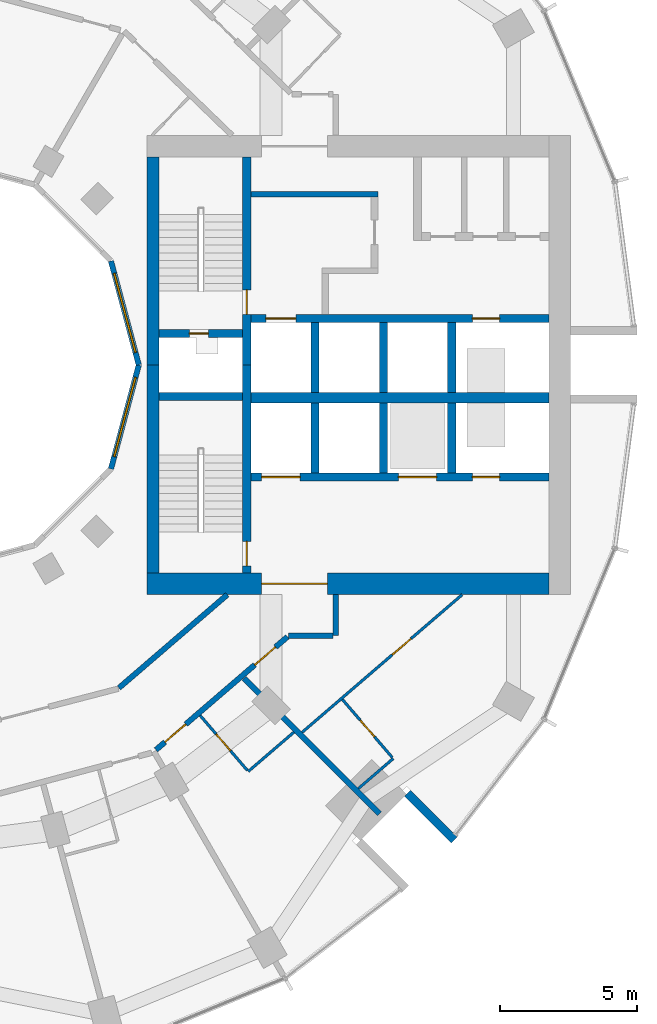
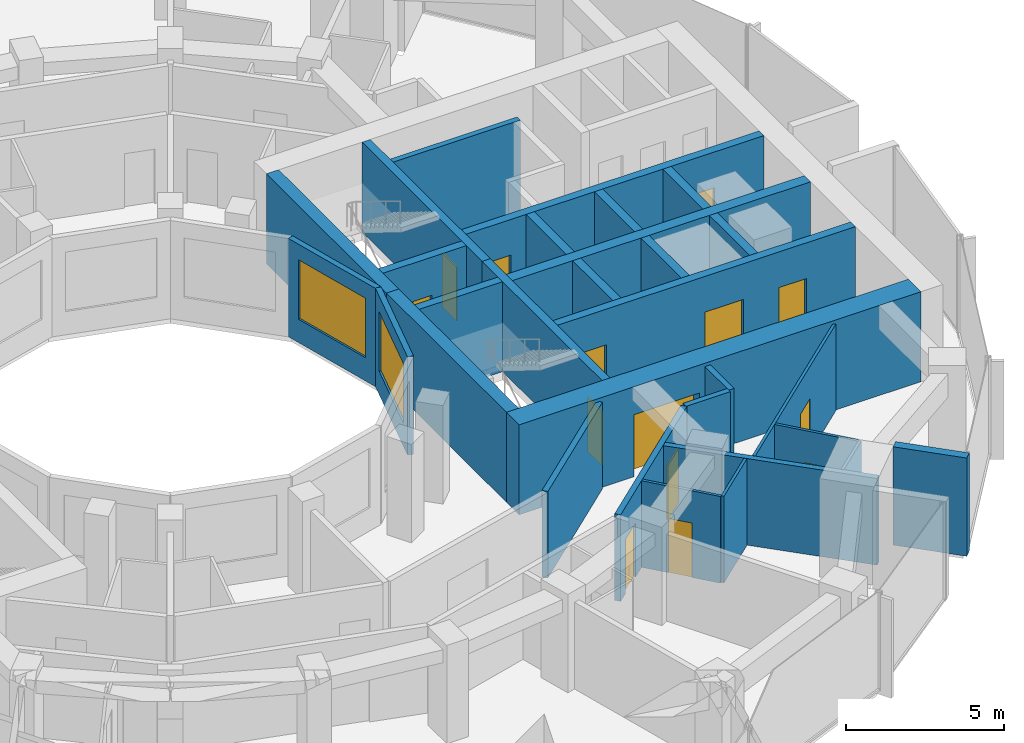
# One storey, part 10 of 15: 30 walls, 14 doors, 2 windows, 16 openings.
"""IFC4 building model written with IfcOpenShell, lengths in metres."""

import ifcopenshell
import ifcopenshell.guid

model = None  # the IFC model being written
_history = None  # IfcOwnerHistory: only IFC2X3 demands one
_inside = {}  # id of a spatial element -> (the spatial element, [elements in it])
_under = {}  # id of a project, library or spatial element -> (it, [spatial elements below it])
_declared = {}  # id of a project -> (the project, [libraries it declares])
_typed = {}  # id of a type object -> (the type object, [elements of that type])
_made_of = {}  # id of a material, layer set ... -> (it, [elements and type objects made of it])


def new_model(schema):
    """Start an empty IFC model of exactly this schema.

    Asked for "IFC4X3", IfcOpenShell would pick the latest addendum, in which some entities
    have other attributes; the version numbers below select the first issue.
    IFC2X3 requires an IfcOwnerHistory on every rooted entity: one is made here for all.
    """
    global model, _history
    if schema == "IFC4X3":
        model = ifcopenshell.file(schema_version=(4, 3, 0, 0))
    else:
        model = ifcopenshell.file(schema=schema)
    _inside.clear()
    _under.clear()
    _declared.clear()
    _typed.clear()
    _made_of.clear()
    _history = None
    if model.schema == "IFC2X3":
        org = make("IfcOrganization", Name="unknown")
        user = make(
            "IfcPersonAndOrganization",
            ThePerson=make("IfcPerson", FamilyName="unknown"),
            TheOrganization=org,
        )
        app = make(
            "IfcApplication",
            ApplicationDeveloper=org,
            Version="unknown",
            ApplicationFullName="unknown",
            ApplicationIdentifier="unknown",
        )
        _history = make(
            "IfcOwnerHistory",
            OwningUser=user,
            OwningApplication=app,
            ChangeAction="ADDED",
            CreationDate=0,
        )
    return model


def make(cls, **values):
    """One entity of the class cls with the attributes given. An attribute that is None is left unset."""
    return model.create_entity(
        cls, **{name: value for name, value in values.items() if value is not None}
    )


def rooted(cls, **values):
    """An entity with a GlobalId (a new one), such as an element, a storey or a relation."""
    return make(cls, GlobalId=ifcopenshell.guid.new(), OwnerHistory=_history, **values)


def si_unit(unit_type, name, prefix=None):
    """IfcSIUnit, for example si_unit("LENGTHUNIT", "METRE", prefix="MILLI")."""
    return make("IfcSIUnit", UnitType=unit_type, Prefix=prefix, Name=name)


def assignment(units):
    """IfcUnitAssignment: the units of a project."""
    return None if units is None else make("IfcUnitAssignment", Units=units)


def point(xyz):
    """IfcCartesianPoint."""
    return None if xyz is None else make("IfcCartesianPoint", Coordinates=xyz)


def direction(xyz):
    """IfcDirection."""
    return None if xyz is None else make("IfcDirection", DirectionRatios=xyz)


def frame(location, z_axis=None, x_axis=None):
    """IfcAxis2Placement3D, a coordinate frame: its origin and axes. An axis left out is left unset."""
    return make(
        "IfcAxis2Placement3D",
        Location=point(location),
        Axis=direction(z_axis),
        RefDirection=direction(x_axis),
    )


def frame_2d(location, x_axis=None):
    """IfcAxis2Placement2D, a coordinate frame in the plane: its origin and x axis."""
    return make(
        "IfcAxis2Placement2D", Location=point(location), RefDirection=direction(x_axis)
    )


def origin():
    """The frame at (0, 0, 0) with its axes left unset."""
    return frame((0.0, 0.0, 0.0))


def place(relative_to, where):
    """IfcLocalPlacement: puts the frame where relative to a parent placement (None: the world)."""
    return make(
        "IfcLocalPlacement", PlacementRelTo=relative_to, RelativePlacement=where
    )


def context(
    kind, dimensions, precision=None, world=None, true_north=None, identifier=None
):
    """IfcGeometricRepresentationContext, for example the 3D "Model" context."""
    return make(
        "IfcGeometricRepresentationContext",
        ContextIdentifier=identifier,
        ContextType=kind,
        CoordinateSpaceDimension=dimensions,
        Precision=precision,
        WorldCoordinateSystem=world,
        TrueNorth=true_north,
    )


def subcontext(parent, identifier, kind, view, scale=None):
    """IfcGeometricRepresentationSubContext, for example "Body" below "Model"."""
    return make(
        "IfcGeometricRepresentationSubContext",
        ContextIdentifier=identifier,
        ContextType=kind,
        ParentContext=parent,
        TargetScale=scale,
        TargetView=view,
    )


def project(units=None, contexts=None):
    """IfcProject with its units and contexts."""
    return rooted(
        "IfcProject",
        Name="project",
        RepresentationContexts=contexts,
        UnitsInContext=assignment(units),
    )


def spatial(cls, under=None, at=None, **own):
    """A site, building, storey or space (cls), placed at a placement, below another one or the project."""
    s = rooted(cls, ObjectPlacement=at, **own)
    if under is not None:
        _under.setdefault(under.id(), (under, []))[1].append(s)
    return s


def profile(cls, at=None, kind="AREA", **sizes):
    """A parametric profile (cls). Its sizes go by their IFC names, for example OverallWidth=200.0."""
    return make(cls, ProfileType=kind, Position=at, **sizes)


def rectangle(**sizes):
    """IfcRectangleProfileDef."""
    return profile("IfcRectangleProfileDef", **sizes)


def extrude(swept, where, along, depth):
    """IfcExtrudedAreaSolid: the profile swept, set in the frame where, extruded along a direction by depth."""
    return make(
        "IfcExtrudedAreaSolid",
        SweptArea=swept,
        Position=where,
        ExtrudedDirection=direction(along),
        Depth=depth,
    )


def shape(context_of_items, identifier, shape_type, items):
    """IfcShapeRepresentation: the items that make up one representation, for example the "Body"."""
    return make(
        "IfcShapeRepresentation",
        ContextOfItems=context_of_items,
        RepresentationIdentifier=identifier,
        RepresentationType=shape_type,
        Items=items,
    )


def material(Name=None, Category=None):
    """IfcMaterial."""
    return make("IfcMaterial", Name=Name, Category=Category)


def layer(
    of_material, thickness, ventilated=None, Name=None, Category=None, Priority=None
):
    """IfcMaterialLayer: one layer of a wall or slab, of a material (None: an air gap)."""
    return make(
        "IfcMaterialLayer",
        Material=of_material,
        LayerThickness=thickness,
        IsVentilated=ventilated,
        Name=Name,
        Category=Category,
        Priority=Priority,
    )


def layer_set(layers, Name=None):
    """IfcMaterialLayerSet."""
    return make("IfcMaterialLayerSet", MaterialLayers=layers, LayerSetName=Name)


def made_of(thing, what):
    """Note that an element or type object is made of a material, layer set ...; save() writes the relation."""
    if what is not None:
        _made_of.setdefault(what.id(), (what, []))[1].append(thing)
    return thing


def type_object(cls, material=None, **own):
    """A type object (cls), such as IfcWallType, which elements share."""
    return made_of(rooted(cls, **own), material)


def element(
    cls,
    number,
    at=None,
    inside=None,
    cuts=None,
    type_object=None,
    material=None,
    context=None,
    identifier="Body",
    shape_type=None,
    held_by="IfcProductDefinitionShape",
    body=None,
    shapes=None,
    **own,
):
    """One element of the class cls, such as IfcWall. Its Tag is "e" and its number.

    at: its placement. inside: the storey or other place that contains it. cuts: it is an
    opening in that element (IfcRelVoidsElement). A single representation is given by context,
    identifier, shape_type and body (its items); several are given by shapes. held_by: the class
    of the entity that holds the representations. save() writes the other relations.
    """
    e = rooted(cls, Tag="e%d" % number, ObjectPlacement=at, **own)
    if body is not None:
        shapes = [shape(context, identifier, shape_type, body)]
    if shapes is not None:
        e.Representation = make(held_by, Representations=shapes)
    if inside is not None:
        _inside.setdefault(inside.id(), (inside, []))[1].append(e)
    if cuts is not None:
        rooted(
            "IfcRelVoidsElement", RelatingBuildingElement=cuts, RelatedOpeningElement=e
        )
    if type_object is not None:
        _typed.setdefault(type_object.id(), (type_object, []))[1].append(e)
    return made_of(e, material)


def fill(opening, filler):
    """IfcRelFillsElement: the door or window that sits in an opening."""
    return rooted(
        "IfcRelFillsElement",
        RelatingOpeningElement=opening,
        RelatedBuildingElement=filler,
    )


def aggregate(whole, parts):
    """IfcRelAggregates: a whole, such as a stair, and the parts it consists of."""
    return rooted("IfcRelAggregates", RelatingObject=whole, RelatedObjects=parts)


def save(model, path):
    """Write the relations noted so far, then the file.

    IfcRelAggregates (storeys below a building ...), IfcRelContainedInSpatialStructure (elements
    in a storey), IfcRelDefinesByType, IfcRelAssociatesMaterial and IfcRelDeclares: one each for
    every whole, place, type object, material and project.
    """
    for whole, parts in _under.values():
        aggregate(whole, parts)
    for where, things in _inside.values():
        rooted(
            "IfcRelContainedInSpatialStructure",
            RelatedElements=things,
            RelatingStructure=where,
        )
    for kind, things in _typed.values():
        rooted("IfcRelDefinesByType", RelatedObjects=things, RelatingType=kind)
    for what, things in _made_of.values():
        rooted("IfcRelAssociatesMaterial", RelatedObjects=things, RelatingMaterial=what)
    for by, libraries in _declared.values():
        rooted("IfcRelDeclares", RelatingContext=by, RelatedDefinitions=libraries)
    model.write(path)


model = new_model("IFC4")

# Units and contexts
model_context = context("Model", 3, precision=1e-05, world=origin(), true_north=direction((0.0, 1.0)))
body_context = subcontext(model_context, "Body", "Model", "MODEL_VIEW")
ifc_project = project(units=[si_unit("LENGTHUNIT", "METRE"), si_unit("AREAUNIT", "SQUARE_METRE"), si_unit("VOLUMEUNIT", "CUBIC_METRE"), si_unit("PLANEANGLEUNIT", "RADIAN"), si_unit("MASSUNIT", "GRAM", prefix="KILO")], contexts=[model_context])

# Site, building, storey
site_placement = place(None, origin())
site = spatial("IfcSite", under=ifc_project, at=site_placement, CompositionType="ELEMENT")
building_placement = place(site_placement, origin())
building = spatial("IfcBuilding", under=site, at=building_placement, Name="Torre Brocal", CompositionType="ELEMENT")
storey_placement = place(building_placement, frame((0.0, 0.0, 93.800048828125)))
storey = spatial("IfcBuildingStorey", under=building, at=storey_placement, Name="L21", CompositionType="ELEMENT", Elevation=93.800048828125)

# Wall
ifc_material_1 = material(Name="Concrete C80", Category="concrete")
ifc_layer_1 = layer(ifc_material_1, 0.199951171875)
ifc_layer_set_1 = layer_set([ifc_layer_1], Name="Concrete C80")
wall_type_1 = type_object("IfcWallType", Name="CORE WALL 200 C80", PredefinedType="SHEAR", material=ifc_layer_set_1)
wall_1_placement = place(storey_placement, frame((91.699951171875, 81.25, 0.0), z_axis=(0.0, 0.0, 1.0), x_axis=(1.0, 0.0, 0.0)))
element("IfcWall", 1, at=wall_1_placement, inside=storey, type_object=wall_type_1, Name="Wall CW200-80", PredefinedType="SHEAR", context=body_context, shape_type="SweptSolid", body=[
    extrude(rectangle(XDim=4.650146484375, YDim=0.199951171875, at=frame_2d((2.3251953125, 0.0))), origin(), (0.0, 0.0, 1.0), 3.47998046875),
])

# Wall, opening, door
ifc_material_2 = material(Name="Concrete C80", Category="concrete")
ifc_layer_2 = layer(ifc_material_2, 0.300048828125)
ifc_layer_set_2 = layer_set([ifc_layer_2], Name="Concrete C80")
wall_type_2 = type_object("IfcWallType", Name="CORE WALL 300 C80", PredefinedType="SHEAR", material=ifc_layer_set_2)
wall_2_placement = place(storey_placement, frame((91.550048828125, 75.0, 0.0), z_axis=(0.0, 0.0, 1.0), x_axis=(0.0, 1.0, 0.0)))
wall_2 = element("IfcWall", 2, at=wall_2_placement, inside=storey, type_object=wall_type_2, Name="Wall CW300-80", PredefinedType="SHEAR", context=body_context, shape_type="SweptSolid", body=[
    extrude(rectangle(XDim=7.60009765625, YDim=0.300048828125, at=frame_2d((3.800048828125, 0.0))), origin(), (0.0, 0.0, 1.0), 3.47998046875),
])
opening_1_placement = place(wall_2_placement, frame((1.85009765625, 0.0, 0.0)))
opening_1 = element("IfcOpeningElement", 3, at=opening_1_placement, cuts=wall_2, Name="Opening E-D02", PredefinedType="OPENING", context=body_context, shape_type="SweptSolid", body=[
    extrude(rectangle(XDim=0.89990234375, YDim=2.10009765625, at=frame_2d((0.449951171875, 1.050048828125))), frame((0.0, 0.159912109375, 0.0), z_axis=(0.0, -1.0, 0.0), x_axis=(1.0, 0.0, 0.0)), (0.0, 0.0, 1.0), 0.320068359375),
])
ifc_material_3 = material(Name="Steel A653", Category="steel")
door_type_1 = type_object("IfcDoorType", Name="STAIR DOOR FD120 900X2100", OperationType="SINGLE_SWING_RIGHT", PredefinedType="DOOR", material=ifc_material_3)
door_1_placement = place(opening_1_placement, origin())
door_1 = element("IfcDoor", 4, at=door_1_placement, inside=storey, type_object=door_type_1, Name="Door E-D02", OperationType="SINGLE_SWING_LEFT", OverallHeight=2.10009765625, OverallWidth=0.89990234375, PredefinedType="DOOR", context=body_context, shape_type="SweptSolid", body=[
    extrude(rectangle(XDim=0.89990234375, YDim=2.10009765625, at=frame_2d((0.449951171875, 1.050048828125))), frame((0.0, 0.02490234375, 0.0), z_axis=(0.0, -1.0, 0.0), x_axis=(1.0, 0.0, 0.0)), (0.0, 0.0, 1.0), 0.050048828125),
])
fill(opening_1, door_1)

wall_3_placement = place(storey_placement, frame((91.550048828125, 67.39990234375, 0.0), z_axis=(0.0, 0.0, 1.0), x_axis=(0.0, 1.0, 0.0)))
wall_3 = element("IfcWall", 5, at=wall_3_placement, inside=storey, type_object=wall_type_2, Name="Wall CW300-80", PredefinedType="SHEAR", context=body_context, shape_type="SweptSolid", body=[
    extrude(rectangle(XDim=7.60009765625, YDim=0.300048828125, at=frame_2d((3.800048828125, 0.0))), origin(), (0.0, 0.0, 1.0), 3.47998046875),
])
opening_2_placement = place(wall_3_placement, frame((0.25, 0.0, 0.0)))
opening_2 = element("IfcOpeningElement", 6, at=opening_2_placement, cuts=wall_3, Name="Opening E-D03", PredefinedType="OPENING", context=body_context, shape_type="SweptSolid", body=[
    extrude(rectangle(XDim=0.89990234375, YDim=2.10009765625, at=frame_2d((0.449951171875, 1.050048828125))), frame((0.0, 0.159912109375, 0.0), z_axis=(0.0, -1.0, 0.0), x_axis=(1.0, 0.0, 0.0)), (0.0, 0.0, 1.0), 0.320068359375),
])
door_2_placement = place(opening_2_placement, origin())
door_2 = element("IfcDoor", 7, at=door_2_placement, inside=storey, type_object=door_type_1, Name="Door E-D03", OperationType="SINGLE_SWING_LEFT", OverallHeight=2.10009765625, OverallWidth=0.89990234375, PredefinedType="DOOR", context=body_context, shape_type="SweptSolid", body=[
    extrude(rectangle(XDim=0.89990234375, YDim=2.10009765625, at=frame_2d((0.449951171875, 1.050048828125))), frame((0.0, 0.02490234375, 0.0), z_axis=(0.0, -1.0, 0.0), x_axis=(1.0, 0.0, 0.0)), (0.0, 0.0, 1.0), 0.050048828125),
])
fill(opening_2, door_2)

wall_4_placement = place(storey_placement, frame((88.35009765625, 76.14990234375, 0.0), z_axis=(0.0, 0.0, 1.0), x_axis=(1.0, 0.0, 0.0)))
wall_4 = element("IfcWall", 8, at=wall_4_placement, inside=storey, type_object=wall_type_2, Name="Wall CW300-80", PredefinedType="SHEAR", context=body_context, shape_type="SweptSolid", body=[
    extrude(rectangle(XDim=3.0498046875, YDim=0.300048828125, at=frame_2d((1.52490234375, 0.0))), origin(), (0.0, 0.0, 1.0), 3.47998046875),
])
opening_3_placement = place(wall_4_placement, frame((1.10009765625, 0.0, 0.0)))
opening_3 = element("IfcOpeningElement", 9, at=opening_3_placement, cuts=wall_4, Name="Opening E-D01", PredefinedType="OPENING", context=body_context, shape_type="SweptSolid", body=[
    extrude(rectangle(XDim=0.699951171875, YDim=2.0, at=frame_2d((0.35009765625, 1.0))), frame((0.0, 0.159912109375, 0.0), z_axis=(0.0, -1.0, 0.0), x_axis=(1.0, 0.0, 0.0)), (0.0, 0.0, 1.0), 0.320068359375),
])
ifc_material_4 = material(Name="Steel A653", Category="steel")
door_type_2 = type_object("IfcDoorType", Name="RISER DOOR FD120 700X2000", OperationType="SINGLE_SWING_LEFT", PredefinedType="DOOR", material=ifc_material_4)
door_3_placement = place(opening_3_placement, frame((0.699951171875, 0.0, 0.0), z_axis=(0.0, 0.0, 1.0), x_axis=(-1.0, 0.0, 0.0)))
door_3 = element("IfcDoor", 10, at=door_3_placement, inside=storey, type_object=door_type_2, Name="Door E-D01", OperationType="SINGLE_SWING_RIGHT", OverallHeight=2.0, OverallWidth=0.699951171875, PredefinedType="DOOR", context=body_context, shape_type="SweptSolid", body=[
    extrude(rectangle(XDim=0.699951171875, YDim=2.0, at=frame_2d((0.35009765625, 1.0))), frame((0.0, 0.02490234375, 0.0), z_axis=(0.0, -1.0, 0.0), x_axis=(1.0, 0.0, 0.0)), (0.0, 0.0, 1.0), 0.050048828125),
])
fill(opening_3, door_3)

# Wall
wall_5_placement = place(storey_placement, frame((88.35009765625, 73.85009765625, 0.0), z_axis=(0.0, 0.0, 1.0), x_axis=(1.0, 0.0, 0.0)))
element("IfcWall", 11, at=wall_5_placement, inside=storey, type_object=wall_type_2, Name="Wall CW300-80", PredefinedType="SHEAR", context=body_context, shape_type="SweptSolid", body=[
    extrude(rectangle(XDim=3.0498046875, YDim=0.300048828125, at=frame_2d((1.52490234375, 0.0))), origin(), (0.0, 0.0, 1.0), 3.47998046875),
])

# Wall, openings, doors
wall_6_placement = place(storey_placement, frame((91.699951171875, 76.699951171875, 0.0), z_axis=(0.0, 0.0, 1.0), x_axis=(1.0, 0.0, 0.0)))
wall_6 = element("IfcWall", 12, at=wall_6_placement, inside=storey, type_object=wall_type_2, Name="Wall CW300-80", PredefinedType="SHEAR", context=body_context, shape_type="SweptSolid", body=[
    extrude(rectangle(XDim=10.900146484375, YDim=0.300048828125, at=frame_2d((5.4501953125, 0.0))), origin(), (0.0, 0.0, 1.0), 3.47998046875),
])
opening_4_placement = place(wall_6_placement, frame((0.550048828125, 0.0, 0.0)))
opening_4 = element("IfcOpeningElement", 13, at=opening_4_placement, cuts=wall_6, Name="Opening LD", PredefinedType="OPENING", context=body_context, shape_type="SweptSolid", body=[
    extrude(rectangle(XDim=1.10009765625, YDim=2.10009765625, at=frame_2d((0.550048828125, 1.050048828125))), frame((0.0, 0.159912109375, 0.0), z_axis=(0.0, -1.0, 0.0), x_axis=(1.0, 0.0, 0.0)), (0.0, 0.0, 1.0), 0.320068359375),
])
opening_5_placement = place(wall_6_placement, frame((8.10009765625, 0.0, 0.0)))
opening_5 = element("IfcOpeningElement", 14, at=opening_5_placement, cuts=wall_6, Name="Opening LD10", PredefinedType="OPENING", context=body_context, shape_type="SweptSolid", body=[
    extrude(rectangle(XDim=1.0, YDim=2.10009765625, at=frame_2d((0.5, 1.050048828125))), frame((0.0, 0.159912109375, 0.0), z_axis=(0.0, -1.0, 0.0), x_axis=(1.0, 0.0, 0.0)), (0.0, 0.0, 1.0), 0.320068359375),
])
ifc_material_5 = material(Name="Stainless steel AISI 316", Category="steel")
door_type_3 = type_object("IfcDoorType", Name="LIFT LANDING DOOR 1000X2100", OperationType="DOUBLE_DOOR_SLIDING", PredefinedType="DOOR", material=ifc_material_5)
door_4_placement = place(opening_5_placement, origin())
door_4 = element("IfcDoor", 15, at=door_4_placement, inside=storey, type_object=door_type_3, Name="Door LD10", OperationType="DOUBLE_DOOR_SLIDING", OverallHeight=2.10009765625, OverallWidth=1.0, PredefinedType="DOOR", context=body_context, shape_type="SweptSolid", body=[
    extrude(rectangle(XDim=1.0, YDim=2.10009765625, at=frame_2d((0.5, 1.050048828125))), frame((0.0, 0.02490234375, 0.0), z_axis=(0.0, -1.0, 0.0), x_axis=(1.0, 0.0, 0.0)), (0.0, 0.0, 1.0), 0.050048828125),
])
fill(opening_5, door_4)
ifc_material_6 = material(Name="Stainless steel AISI 316", Category="steel")
door_type_4 = type_object("IfcDoorType", Name="LIFT LANDING DOOR 1100X2100", OperationType="DOUBLE_DOOR_SLIDING", PredefinedType="DOOR", material=ifc_material_6)
door_5_placement = place(opening_4_placement, origin())
door_5 = element("IfcDoor", 16, at=door_5_placement, inside=storey, type_object=door_type_4, Name="Door LD", OperationType="DOUBLE_DOOR_SLIDING", OverallHeight=2.10009765625, OverallWidth=1.10009765625, PredefinedType="DOOR", context=body_context, shape_type="SweptSolid", body=[
    extrude(rectangle(XDim=1.10009765625, YDim=2.10009765625, at=frame_2d((0.550048828125, 1.050048828125))), frame((0.0, 0.02490234375, 0.0), z_axis=(0.0, -1.0, 0.0), x_axis=(1.0, 0.0, 0.0)), (0.0, 0.0, 1.0), 0.050048828125),
])
fill(opening_4, door_5)

wall_7_placement = place(storey_placement, frame((91.699951171875, 70.89990234375, 0.0), z_axis=(0.0, 0.0, 1.0), x_axis=(1.0, 0.0, 0.0)))
wall_7 = element("IfcWall", 17, at=wall_7_placement, inside=storey, type_object=wall_type_2, Name="Wall CW300-80", PredefinedType="SHEAR", context=body_context, shape_type="SweptSolid", body=[
    extrude(rectangle(XDim=10.900146484375, YDim=0.300048828125, at=frame_2d((5.4501953125, 0.0))), origin(), (0.0, 0.0, 1.0), 3.47998046875),
])
opening_6_placement = place(wall_7_placement, frame((0.39990234375, 0.0, 0.0)))
opening_6 = element("IfcOpeningElement", 18, at=opening_6_placement, cuts=wall_7, Name="Opening LD14", PredefinedType="OPENING", context=body_context, shape_type="SweptSolid", body=[
    extrude(rectangle(XDim=1.39990234375, YDim=2.10009765625, at=frame_2d((0.699951171875, 1.050048828125))), frame((0.0, 0.159912109375, 0.0), z_axis=(0.0, -1.0, 0.0), x_axis=(1.0, 0.0, 0.0)), (0.0, 0.0, 1.0), 0.320068359375),
])
opening_7_placement = place(wall_7_placement, frame((5.39990234375, 0.0, 0.0)))
opening_7 = element("IfcOpeningElement", 19, at=opening_7_placement, cuts=wall_7, Name="Opening LD14", PredefinedType="OPENING", context=body_context, shape_type="SweptSolid", body=[
    extrude(rectangle(XDim=1.39990234375, YDim=2.10009765625, at=frame_2d((0.699951171875, 1.050048828125))), frame((0.0, 0.159912109375, 0.0), z_axis=(0.0, -1.0, 0.0), x_axis=(1.0, 0.0, 0.0)), (0.0, 0.0, 1.0), 0.320068359375),
])
opening_8_placement = place(wall_7_placement, frame((8.10009765625, 0.0, 0.0)))
opening_8 = element("IfcOpeningElement", 20, at=opening_8_placement, cuts=wall_7, Name="Opening LD10", PredefinedType="OPENING", context=body_context, shape_type="SweptSolid", body=[
    extrude(rectangle(XDim=1.0, YDim=2.10009765625, at=frame_2d((0.5, 1.050048828125))), frame((0.0, 0.159912109375, 0.0), z_axis=(0.0, -1.0, 0.0), x_axis=(1.0, 0.0, 0.0)), (0.0, 0.0, 1.0), 0.320068359375),
])
door_6_placement = place(opening_8_placement, origin())
door_6 = element("IfcDoor", 21, at=door_6_placement, inside=storey, type_object=door_type_3, Name="Door LD10", OperationType="DOUBLE_DOOR_SLIDING", OverallHeight=2.10009765625, OverallWidth=1.0, PredefinedType="DOOR", context=body_context, shape_type="SweptSolid", body=[
    extrude(rectangle(XDim=1.0, YDim=2.10009765625, at=frame_2d((0.5, 1.050048828125))), frame((0.0, 0.02490234375, 0.0), z_axis=(0.0, -1.0, 0.0), x_axis=(1.0, 0.0, 0.0)), (0.0, 0.0, 1.0), 0.050048828125),
])
fill(opening_8, door_6)
ifc_material_7 = material(Name="Stainless steel AISI 316", Category="steel")
door_type_5 = type_object("IfcDoorType", Name="LIFT LANDING DOOR 1400X2100", OperationType="DOUBLE_DOOR_SLIDING", PredefinedType="DOOR", material=ifc_material_7)
door_7_placement = place(opening_6_placement, origin())
door_7 = element("IfcDoor", 22, at=door_7_placement, inside=storey, type_object=door_type_5, Name="Door LD14", OperationType="DOUBLE_DOOR_SLIDING", OverallHeight=2.10009765625, OverallWidth=1.39990234375, PredefinedType="DOOR", context=body_context, shape_type="SweptSolid", body=[
    extrude(rectangle(XDim=1.39990234375, YDim=2.10009765625, at=frame_2d((0.699951171875, 1.050048828125))), frame((0.0, 0.02490234375, 0.0), z_axis=(0.0, -1.0, 0.0), x_axis=(1.0, 0.0, 0.0)), (0.0, 0.0, 1.0), 0.050048828125),
])
fill(opening_6, door_7)
door_8_placement = place(opening_7_placement, origin())
door_8 = element("IfcDoor", 23, at=door_8_placement, inside=storey, type_object=door_type_5, Name="Door LD14", OperationType="DOUBLE_DOOR_SLIDING", OverallHeight=2.10009765625, OverallWidth=1.39990234375, PredefinedType="DOOR", context=body_context, shape_type="SweptSolid", body=[
    extrude(rectangle(XDim=1.39990234375, YDim=2.10009765625, at=frame_2d((0.699951171875, 1.050048828125))), frame((0.0, 0.02490234375, 0.0), z_axis=(0.0, -1.0, 0.0), x_axis=(1.0, 0.0, 0.0)), (0.0, 0.0, 1.0), 0.050048828125),
])
fill(opening_7, door_8)

# Walls
for number, where, z_axis, x_axis, name in (
    (24, (94.050048828125, 74.0, 0.0), (0.0, 0.0, 1.0), (0.0, 1.0, 0.0), "Wall CW300-80"),
    (25, (96.550048828125, 74.0, 0.0), (0.0, 0.0, 1.0), (0.0, 1.0, 0.0), "Wall CW300-80"),
    (26, (99.050048828125, 74.0, 0.0), (0.0, 0.0, 1.0), (0.0, 1.0, 0.0), "Wall CW300-80"),
    (27, (94.050048828125, 71.050048828125, 0.0), (0.0, 0.0, 1.0), (0.0, 1.0, 0.0), "Wall CW300-80"),
    (28, (96.550048828125, 71.050048828125, 0.0), (0.0, 0.0, 1.0), (0.0, 1.0, 0.0), "Wall CW300-80"),
    (29, (99.050048828125, 71.050048828125, 0.0), (0.0, 0.0, 1.0), (0.0, 1.0, 0.0), "Wall CW300-80"),
):
    element("IfcWall", number, at=place(storey_placement, frame(where, z_axis=z_axis, x_axis=x_axis)), inside=storey, type_object=wall_type_2, Name=name, PredefinedType="SHEAR", context=body_context, shape_type="SweptSolid", body=[
        extrude(rectangle(XDim=2.550048828125, YDim=0.300048828125, at=frame_2d((1.27490234375, 0.0))), origin(), (0.0, 0.0, 1.0), 3.47998046875),
    ])
ifc_material_8 = material(Name="Concrete C80", Category="concrete")
ifc_layer_3 = layer(ifc_material_8, 0.39990234375)
ifc_layer_set_3 = layer_set([ifc_layer_3], Name="Concrete C80")
wall_type_3 = type_object("IfcWallType", Name="CORE WALL 400 C80", PredefinedType="SHEAR", material=ifc_layer_set_3)
wall_8_placement = place(storey_placement, frame((91.699951171875, 73.800048828125, 0.0), z_axis=(0.0, 0.0, 1.0), x_axis=(1.0, 0.0, 0.0)))
element("IfcWall", 30, at=wall_8_placement, inside=storey, type_object=wall_type_3, Name="Wall CW400-80", PredefinedType="SHEAR", context=body_context, shape_type="SweptSolid", body=[
    extrude(rectangle(XDim=10.900146484375, YDim=0.39990234375, at=frame_2d((5.4501953125, 0.0))), origin(), (0.0, 0.0, 1.0), 3.47998046875),
])
ifc_material_9 = material(Name="Concrete C80", Category="concrete")
ifc_layer_4 = layer(ifc_material_9, 0.449951171875)
ifc_layer_set_4 = layer_set([ifc_layer_4], Name="Concrete C80")
wall_type_4 = type_object("IfcWallType", Name="CORE WALL 450 C80", PredefinedType="SHEAR", material=ifc_layer_set_4)
for number, where, z_axis, x_axis, name in (
    (31, (88.125, 75.0, 0.0), (0.0, 0.0, 1.0), (0.0, 1.0, 0.0), "Wall CW450-80"),
    (32, (88.125, 67.39990234375, 0.0), (0.0, 0.0, 1.0), (0.0, 1.0, 0.0), "Wall CW450-80"),
):
    element("IfcWall", number, at=place(storey_placement, frame(where, z_axis=z_axis, x_axis=x_axis)), inside=storey, type_object=wall_type_4, Name=name, PredefinedType="SHEAR", context=body_context, shape_type="SweptSolid", body=[
        extrude(rectangle(XDim=7.60009765625, YDim=0.449951171875, at=frame_2d((3.800048828125, 0.0))), origin(), (0.0, 0.0, 1.0), 3.47998046875),
    ])

# Wall, opening, door
ifc_material_10 = material(Name="Concrete C80", Category="concrete")
ifc_layer_5 = layer(ifc_material_10, 0.800048828125)
ifc_layer_set_5 = layer_set([ifc_layer_5], Name="Concrete C80")
wall_type_5 = type_object("IfcWallType", Name="CORE WALL 800 C80", PredefinedType="SHEAR", material=ifc_layer_set_5)
wall_9_placement = place(storey_placement, frame((87.89990234375, 67.0, 0.0), z_axis=(0.0, 0.0, 1.0), x_axis=(1.0, 0.0, 0.0)))
wall_9 = element("IfcWall", 33, at=wall_9_placement, inside=storey, type_object=wall_type_5, Name="Wall CW800-80", PredefinedType="SHEAR", context=body_context, shape_type="SweptSolid", body=[
    extrude(rectangle(XDim=14.7001953125, YDim=0.800048828125, at=frame_2d((7.35009765625, 0.0))), origin(), (0.0, 0.0, 1.0), 3.47998046875),
])
opening_9_placement = place(wall_9_placement, frame((4.199951171875, 0.0, 0.0)))
opening_9 = element("IfcOpeningElement", 34, at=opening_9_placement, cuts=wall_9, Name="Opening E-D30", PredefinedType="OPENING", context=body_context, shape_type="SweptSolid", body=[
    extrude(rectangle(XDim=2.39990234375, YDim=2.39990234375, at=frame_2d((1.199951171875, 1.199951171875))), frame((0.0, 0.409912109375, 0.0), z_axis=(0.0, -1.0, 0.0), x_axis=(1.0, 0.0, 0.0)), (0.0, 0.0, 1.0), 0.820068359375),
])
ifc_material_11 = material(Name="Steel A653", Category="steel")
door_type_6 = type_object("IfcDoorType", Name="DOUBLE FIRE DOOR FD90 2400X2400", OperationType="DOUBLE_DOOR_SINGLE_SWING", PredefinedType="DOOR", material=ifc_material_11)
door_9_placement = place(opening_9_placement, origin())
door_9 = element("IfcDoor", 35, at=door_9_placement, inside=storey, type_object=door_type_6, Name="Door E-D30", OperationType="DOUBLE_DOOR_SINGLE_SWING", OverallHeight=2.39990234375, OverallWidth=2.39990234375, PredefinedType="DOOR", context=body_context, shape_type="SweptSolid", body=[
    extrude(rectangle(XDim=2.39990234375, YDim=2.39990234375, at=frame_2d((1.199951171875, 1.199951171875))), frame((0.0, 0.02490234375, 0.0), z_axis=(0.0, -1.0, 0.0), x_axis=(1.0, 0.0, 0.0)), (0.0, 0.0, 1.0), 0.050048828125),
])
fill(opening_9, door_9)

# Wall
ifc_material_12 = material(Name="Concrete C80", Category="concrete")
ifc_layer_6 = layer(ifc_material_12, 0.300048828125)
ifc_layer_set_6 = layer_set([ifc_layer_6], Name="Concrete C80")
wall_type_6 = type_object("IfcWallType", Name="NOTCH RETURN WALL 300 C80", PredefinedType="NOTDEFINED", material=ifc_layer_set_6)
wall_10_placement = place(storey_placement, frame((97.43017578125, 59.337646484375, 0.0), z_axis=(0.0, 0.0, 1.0), x_axis=(0.707106781187, -0.707106781187, 0.0)))
element("IfcWall", 36, at=wall_10_placement, inside=storey, type_object=wall_type_6, Name="NOTCH RETURN WALL", PredefinedType="NOTDEFINED", context=body_context, shape_type="SweptSolid", body=[
    extrude(rectangle(XDim=2.415771484375, YDim=0.300048828125, at=frame_2d((1.2080078125, 0.0))), origin(), (0.0, 0.0, 1.0), 3.800048828125),
])

# Wall, opening, door
ifc_material_13 = material(Name="Gypsum board", Category="Gypsum")
ifc_layer_7 = layer(ifc_material_13, 0.10009765625)
ifc_layer_set_7 = layer_set([ifc_layer_7], Name="Gypsum board")
wall_type_7 = type_object("IfcWallType", Name="PARTITION 100", PredefinedType="PARTITIONING", material=ifc_layer_set_7)
wall_11_placement = place(storey_placement, frame((89.846435546875, 62.181884765625, 0.0), z_axis=(0.0, 0.0, 1.0), x_axis=(0.652095405055, -0.758136915541, 0.0)))
wall_11 = element("IfcWall", 37, at=wall_11_placement, inside=storey, type_object=wall_type_7, Name="BATHROOM WALL", PredefinedType="PARTITIONING", context=body_context, shape_type="SweptSolid", body=[
    extrude(rectangle(XDim=2.64990234375, YDim=0.10009765625, at=frame_2d((1.324951171875, 0.0))), origin(), (0.0, 0.0, 1.0), 3.349853515625),
])
opening_10_placement = place(wall_11_placement, frame((0.899658203125, 0.0, 0.0)))
opening_10 = element("IfcOpeningElement", 38, at=opening_10_placement, cuts=wall_11, Name="Opening H06-D22", PredefinedType="OPENING", context=body_context, shape_type="SweptSolid", body=[
    extrude(rectangle(XDim=0.800048828125, YDim=2.10009765625, at=frame_2d((0.39990234375, 1.050048828125))), frame((0.0, 0.06005859375, 0.0), z_axis=(0.0, -1.0, 0.0), x_axis=(1.0, 0.0, 0.0)), (0.0, 0.0, 1.0), 0.1201171875),
])
ifc_material_14 = material(Name="Timber", Category="wood")
door_type_7 = type_object("IfcDoorType", Name="BATHROOM DOOR 800X2100", OperationType="SINGLE_SWING_LEFT", PredefinedType="DOOR", material=ifc_material_14)
door_10_placement = place(opening_10_placement, origin())
door_10 = element("IfcDoor", 39, at=door_10_placement, inside=storey, type_object=door_type_7, Name="H06-D22", OperationType="SINGLE_SWING_LEFT", OverallHeight=2.10009765625, OverallWidth=0.800048828125, PredefinedType="DOOR", context=body_context, shape_type="SweptSolid", body=[
    extrude(rectangle(XDim=0.800048828125, YDim=2.10009765625, at=frame_2d((0.39990234375, 1.050048828125))), frame((0.0, 0.02490234375, 0.0), z_axis=(0.0, -1.0, 0.0), x_axis=(1.0, 0.0, 0.0)), (0.0, 0.0, 1.0), 0.050048828125),
])
fill(opening_10, door_10)

# Wall
wall_12_placement = place(storey_placement, frame((91.60693359375, 60.135009765625, 0.0), z_axis=(0.0, 0.0, 1.0), x_axis=(0.758135842672, 0.652096652388, 0.0)))
element("IfcWall", 40, at=wall_12_placement, inside=storey, type_object=wall_type_7, Name="BATHROOM WALL", PredefinedType="PARTITIONING", context=body_context, shape_type="SweptSolid", body=[
    extrude(rectangle(XDim=2.201171875, YDim=0.10009765625, at=frame_2d((1.1005859375, 0.0))), origin(), (0.0, 0.0, 1.0), 3.349853515625),
])

# Wall, opening, door
wall_13_placement = place(storey_placement, frame((93.576904296875, 61.565185546875, 0.0), z_axis=(0.0, 0.0, 1.0), x_axis=(0.75812140399, 0.652113438607, 0.0)))
wall_13 = element("IfcWall", 41, at=wall_13_placement, inside=storey, type_object=wall_type_7, Name="BATHROOM WALL", PredefinedType="PARTITIONING", context=body_context, shape_type="SweptSolid", body=[
    extrude(rectangle(XDim=7.7197265625, YDim=0.10009765625, at=frame_2d((3.85986328125, 0.0))), origin(), (0.0, 0.0, 1.0), 3.349853515625),
])
opening_11_placement = place(wall_13_placement, frame((4.349853515625, 0.0, 0.0)))
opening_11 = element("IfcOpeningElement", 42, at=opening_11_placement, cuts=wall_13, Name="Opening H06-D19", PredefinedType="OPENING", context=body_context, shape_type="SweptSolid", body=[
    extrude(rectangle(XDim=0.89990234375, YDim=2.10009765625, at=frame_2d((0.449951171875, 1.050048828125))), frame((0.0, 0.06005859375, 0.0), z_axis=(0.0, -1.0, 0.0), x_axis=(1.0, 0.0, 0.0)), (0.0, 0.0, 1.0), 0.1201171875),
])
ifc_material_15 = material(Name="Timber", Category="wood")
door_type_8 = type_object("IfcDoorType", Name="ROOM DOOR 900X2100", OperationType="SINGLE_SWING_LEFT", PredefinedType="DOOR", material=ifc_material_15)
door_11_placement = place(opening_11_placement, origin())
door_11 = element("IfcDoor", 43, at=door_11_placement, inside=storey, type_object=door_type_8, Name="H06-D19", OperationType="SINGLE_SWING_RIGHT", OverallHeight=2.10009765625, OverallWidth=0.89990234375, PredefinedType="DOOR", context=body_context, shape_type="SweptSolid", body=[
    extrude(rectangle(XDim=0.89990234375, YDim=2.10009765625, at=frame_2d((0.449951171875, 1.050048828125))), frame((0.0, 0.02490234375, 0.0), z_axis=(0.0, -1.0, 0.0), x_axis=(1.0, 0.0, 0.0)), (0.0, 0.0, 1.0), 0.050048828125),
])
fill(opening_11, door_11)

wall_14_placement = place(storey_placement, frame((95.049560546875, 62.76611328125, 0.0), z_axis=(0.0, 0.0, 1.0), x_axis=(0.652190642827, -0.75805498838, 0.0)))
wall_14 = element("IfcWall", 44, at=wall_14_placement, inside=storey, type_object=wall_type_7, Name="BATHROOM WALL", PredefinedType="PARTITIONING", context=body_context, shape_type="SweptSolid", body=[
    extrude(rectangle(XDim=2.7998046875, YDim=0.10009765625, at=frame_2d((1.39990234375, 0.0))), origin(), (0.0, 0.0, 1.0), 3.349853515625),
])
opening_12_placement = place(wall_14_placement, frame((0.999755859375, 0.0, 0.0)))
opening_12 = element("IfcOpeningElement", 45, at=opening_12_placement, cuts=wall_14, Name="Opening H06-D20", PredefinedType="OPENING", context=body_context, shape_type="SweptSolid", body=[
    extrude(rectangle(XDim=0.800048828125, YDim=2.10009765625, at=frame_2d((0.39990234375, 1.050048828125))), frame((0.0, 0.06005859375, 0.0), z_axis=(0.0, -1.0, 0.0), x_axis=(1.0, 0.0, 0.0)), (0.0, 0.0, 1.0), 0.1201171875),
])
door_12_placement = place(opening_12_placement, frame((0.800048828125, 0.0, 0.0), z_axis=(0.0, 0.0, 1.0), x_axis=(-1.0, 0.0, 0.0)))
door_12 = element("IfcDoor", 46, at=door_12_placement, inside=storey, type_object=door_type_7, Name="H06-D20", OperationType="SINGLE_SWING_RIGHT", OverallHeight=2.10009765625, OverallWidth=0.800048828125, PredefinedType="DOOR", context=body_context, shape_type="SweptSolid", body=[
    extrude(rectangle(XDim=0.800048828125, YDim=2.10009765625, at=frame_2d((0.39990234375, 1.050048828125))), frame((0.0, 0.02490234375, 0.0), z_axis=(0.0, -1.0, 0.0), x_axis=(1.0, 0.0, 0.0)), (0.0, 0.0, 1.0), 0.050048828125),
])
fill(opening_12, door_12)

# Walls
wall_15_placement = place(storey_placement, frame((95.6337890625, 59.50927734375, 0.0), z_axis=(0.0, 0.0, 1.0), x_axis=(0.757922369717, 0.652344756614, 0.0)))
element("IfcWall", 47, at=wall_15_placement, inside=storey, type_object=wall_type_7, Name="BATHROOM WALL", PredefinedType="PARTITIONING", context=body_context, shape_type="SweptSolid", body=[
    extrude(rectangle(XDim=1.68115234375, YDim=0.10009765625, at=frame_2d((0.840576171875, 0.0))), origin(), (0.0, 0.0, 1.0), 3.349853515625),
])
ifc_material_16 = material(Name="Gypsum board", Category="Gypsum")
ifc_layer_8 = layer(ifc_material_16, 0.199951171875)
ifc_layer_set_8 = layer_set([ifc_layer_8], Name="Gypsum board")
wall_type_8 = type_object("IfcWallType", Name="PARTITION 200 EI60", PredefinedType="PARTITIONING", material=ifc_layer_set_8)
wall_16_placement = place(storey_placement, frame((86.876953125, 63.18896484375, 0.0), z_axis=(0.0, 0.0, 1.0), x_axis=(0.758088707506, 0.652151448325, 0.0)))
element("IfcWall", 48, at=wall_16_placement, inside=storey, type_object=wall_type_8, Name="GUESTROOM CORRIDOR WALL", PredefinedType="PARTITIONING", context=body_context, shape_type="SweptSolid", body=[
    extrude(rectangle(XDim=5.22900390625, YDim=0.199951171875, at=frame_2d((2.614501953125, 0.0))), origin(), (0.0, 0.0, 1.0), 3.349853515625),
])

# Wall, openings, doors
wall_17_placement = place(storey_placement, frame((88.228759765625, 60.922607421875, 0.0), z_axis=(0.0, 0.0, 1.0), x_axis=(0.758220952094, 0.651997690031, 0.0)))
wall_17 = element("IfcWall", 49, at=wall_17_placement, inside=storey, type_object=wall_type_8, Name="FLAT ENTRANCE WALL", PredefinedType="PARTITIONING", context=body_context, shape_type="SweptSolid", body=[
    extrude(rectangle(XDim=6.345703125, YDim=0.199951171875, at=frame_2d((3.1728515625, 0.0))), origin(), (0.0, 0.0, 1.0), 3.349853515625),
])
opening_13_placement = place(wall_17_placement, frame((4.766845703125, 0.0, 0.0)))
opening_13 = element("IfcOpeningElement", 50, at=opening_13_placement, cuts=wall_17, Name="Opening H06-D18", PredefinedType="OPENING", context=body_context, shape_type="SweptSolid", body=[
    extrude(rectangle(XDim=1.0, YDim=2.10009765625, at=frame_2d((0.5, 1.050048828125))), frame((0.0, 0.10986328125, 0.0), z_axis=(0.0, -1.0, 0.0), x_axis=(1.0, 0.0, 0.0)), (0.0, 0.0, 1.0), 0.219970703125),
])
opening_14_placement = place(wall_17_placement, frame((0.4404296875, 0.0, 0.0)))
opening_14 = element("IfcOpeningElement", 51, at=opening_14_placement, cuts=wall_17, Name="Opening H06-D21", PredefinedType="OPENING", context=body_context, shape_type="SweptSolid", body=[
    extrude(rectangle(XDim=1.0, YDim=2.10009765625, at=frame_2d((0.5, 1.050048828125))), frame((0.0, 0.10986328125, 0.0), z_axis=(0.0, -1.0, 0.0), x_axis=(1.0, 0.0, 0.0)), (0.0, 0.0, 1.0), 0.219970703125),
])
ifc_material_17 = material(Name="Timber", Category="wood")
door_type_9 = type_object("IfcDoorType", Name="FLAT ENTRY DOOR FD30S 1000X2100", OperationType="SINGLE_SWING_RIGHT", PredefinedType="DOOR", material=ifc_material_17)
door_13_placement = place(opening_13_placement, frame((1.0, 0.0, 0.0), z_axis=(0.0, 0.0, 1.0), x_axis=(-1.0, 0.0, 0.0)))
door_13 = element("IfcDoor", 52, at=door_13_placement, inside=storey, type_object=door_type_9, Name="H06-D18", OperationType="SINGLE_SWING_RIGHT", OverallHeight=2.10009765625, OverallWidth=1.0, PredefinedType="DOOR", context=body_context, shape_type="SweptSolid", body=[
    extrude(rectangle(XDim=1.0, YDim=2.10009765625, at=frame_2d((0.5, 1.050048828125))), frame((0.0, 0.02490234375, 0.0), z_axis=(0.0, -1.0, 0.0), x_axis=(1.0, 0.0, 0.0)), (0.0, 0.0, 1.0), 0.050048828125),
])
fill(opening_13, door_13)
door_14_placement = place(opening_14_placement, frame((1.0, 0.0, 0.0), z_axis=(0.0, 0.0, 1.0), x_axis=(-1.0, 0.0, 0.0)))
door_14 = element("IfcDoor", 53, at=door_14_placement, inside=storey, type_object=door_type_9, Name="H06-D21", OperationType="SINGLE_SWING_RIGHT", OverallHeight=2.10009765625, OverallWidth=1.0, PredefinedType="DOOR", context=body_context, shape_type="SweptSolid", body=[
    extrude(rectangle(XDim=1.0, YDim=2.10009765625, at=frame_2d((0.5, 1.050048828125))), frame((0.0, 0.02490234375, 0.0), z_axis=(0.0, -1.0, 0.0), x_axis=(1.0, 0.0, 0.0)), (0.0, 0.0, 1.0), 0.050048828125),
])
fill(opening_14, door_14)

# Walls
wall_18_placement = place(storey_placement, frame((91.448486328125, 63.547119140625, 0.0), z_axis=(0.0, 0.0, 1.0), x_axis=(0.706949958062, -0.707263569538, 0.0)))
element("IfcWall", 54, at=wall_18_placement, inside=storey, type_object=wall_type_8, Name="BATHROOM WALL", PredefinedType="PARTITIONING", context=body_context, shape_type="SweptSolid", body=[
    extrude(rectangle(XDim=7.00634765625, YDim=0.199951171875, at=frame_2d((3.503173828125, 0.0))), origin(), (0.0, 0.0, 1.0), 3.349853515625),
])
wall_19_placement = place(storey_placement, frame((93.0849609375, 65.10009765625, 0.0), z_axis=(0.0, 0.0, 1.0), x_axis=(1.0, 0.0, 0.0)))
element("IfcWall", 55, at=wall_19_placement, inside=storey, type_object=wall_type_8, Name="FLAT ENTRANCE WALL", PredefinedType="PARTITIONING", context=body_context, shape_type="SweptSolid", body=[
    extrude(rectangle(XDim=1.614990234375, YDim=0.199951171875, at=frame_2d((0.8076171875, 0.0))), origin(), (0.0, 0.0, 1.0), 3.349853515625),
])
wall_20_placement = place(storey_placement, frame((94.800048828125, 65.10009765625, 0.0), z_axis=(0.0, 0.0, 1.0), x_axis=(0.0, 1.0, 0.0)))
element("IfcWall", 56, at=wall_20_placement, inside=storey, type_object=wall_type_8, Name="FLAT ENTRANCE WALL", PredefinedType="PARTITIONING", context=body_context, shape_type="SweptSolid", body=[
    extrude(rectangle(XDim=1.4990234375, YDim=0.199951171875, at=frame_2d((0.74951171875, 0.0))), origin(), (0.0, 0.0, 1.0), 3.349853515625),
])

# Wall, opening, window
ifc_material_18 = material(Name="Concrete C40", Category="concrete")
ifc_layer_9 = layer(ifc_material_18, 0.199951171875)
ifc_layer_set_9 = layer_set([ifc_layer_9], Name="Concrete C40")
wall_type_9 = type_object("IfcWallType", Name="WELL FACADE WALL 200", PredefinedType="NOTDEFINED", material=ifc_layer_set_9)
wall_21_placement = place(storey_placement, frame((87.603515625, 75.0, 0.0), z_axis=(0.0, 0.0, 1.0), x_axis=(-0.258789828301, 0.965933654434, 0.0)))
wall_21 = element("IfcWall", 57, at=wall_21_placement, inside=storey, type_object=wall_type_9, Name="WELL FACADE WALL", PredefinedType="NOTDEFINED", context=body_context, shape_type="SweptSolid", body=[
    extrude(rectangle(XDim=3.935791015625, YDim=0.199951171875, at=frame_2d((1.9677734375, 0.0))), origin(), (0.0, 0.0, 1.0), 3.800048828125),
])
opening_15_placement = place(wall_21_placement, frame((0.468017578125, 0.0, 0.89990234375)))
opening_15 = element("IfcOpeningElement", 58, at=opening_15_placement, cuts=wall_21, Name="Opening W1", PredefinedType="OPENING", context=body_context, shape_type="SweptSolid", body=[
    extrude(rectangle(XDim=3.0, YDim=2.300048828125, at=frame_2d((1.5, 1.14990234375))), frame((0.0, 0.10986328125, 0.0), z_axis=(0.0, -1.0, 0.0), x_axis=(1.0, 0.0, 0.0)), (0.0, 0.0, 1.0), 0.219970703125),
])
ifc_material_19 = material(Name="Aluminium and glass", Category="aluminium")
window_type = type_object("IfcWindowType", Name="WELL WINDOW 3000X2300", PartitioningType="SINGLE_PANEL", PredefinedType="WINDOW", material=ifc_material_19)
window_1_placement = place(opening_15_placement, origin())
window_1 = element("IfcWindow", 59, at=window_1_placement, inside=storey, type_object=window_type, Name="WELL WINDOW 3000X2300", OverallHeight=2.300048828125, OverallWidth=3.0, PartitioningType="SINGLE_PANEL", PredefinedType="WINDOW", context=body_context, shape_type="SweptSolid", body=[
    extrude(rectangle(XDim=3.0, YDim=2.300048828125, at=frame_2d((1.5, 1.14990234375))), frame((0.0, 0.030029296875, 0.0), z_axis=(0.0, -1.0, 0.0), x_axis=(1.0, 0.0, 0.0)), (0.0, 0.0, 1.0), 0.06005859375),
])
fill(opening_15, window_1)

wall_22_placement = place(storey_placement, frame((86.5849609375, 71.1982421875, 0.0), z_axis=(0.0, 0.0, 1.0), x_axis=(0.258789828301, 0.965933654434, 0.0)))
wall_22 = element("IfcWall", 60, at=wall_22_placement, inside=storey, type_object=wall_type_9, Name="WELL FACADE WALL", PredefinedType="NOTDEFINED", context=body_context, shape_type="SweptSolid", body=[
    extrude(rectangle(XDim=3.935791015625, YDim=0.199951171875, at=frame_2d((1.9677734375, 0.0))), origin(), (0.0, 0.0, 1.0), 3.800048828125),
])
opening_16_placement = place(wall_22_placement, frame((0.468017578125, 0.0, 0.89990234375)))
opening_16 = element("IfcOpeningElement", 61, at=opening_16_placement, cuts=wall_22, Name="Opening W1", PredefinedType="OPENING", context=body_context, shape_type="SweptSolid", body=[
    extrude(rectangle(XDim=3.0, YDim=2.300048828125, at=frame_2d((1.5, 1.14990234375))), frame((0.0, 0.10986328125, 0.0), z_axis=(0.0, -1.0, 0.0), x_axis=(1.0, 0.0, 0.0)), (0.0, 0.0, 1.0), 0.219970703125),
])
window_2_placement = place(opening_16_placement, origin())
window_2 = element("IfcWindow", 62, at=window_2_placement, inside=storey, type_object=window_type, Name="WELL WINDOW 3000X2300", OverallHeight=2.300048828125, OverallWidth=3.0, PartitioningType="SINGLE_PANEL", PredefinedType="WINDOW", context=body_context, shape_type="SweptSolid", body=[
    extrude(rectangle(XDim=3.0, YDim=2.300048828125, at=frame_2d((1.5, 1.14990234375))), frame((0.0, 0.030029296875, 0.0), z_axis=(0.0, -1.0, 0.0), x_axis=(1.0, 0.0, 0.0)), (0.0, 0.0, 1.0), 0.06005859375),
])
fill(opening_16, window_2)

save(model, "model.ifc")
